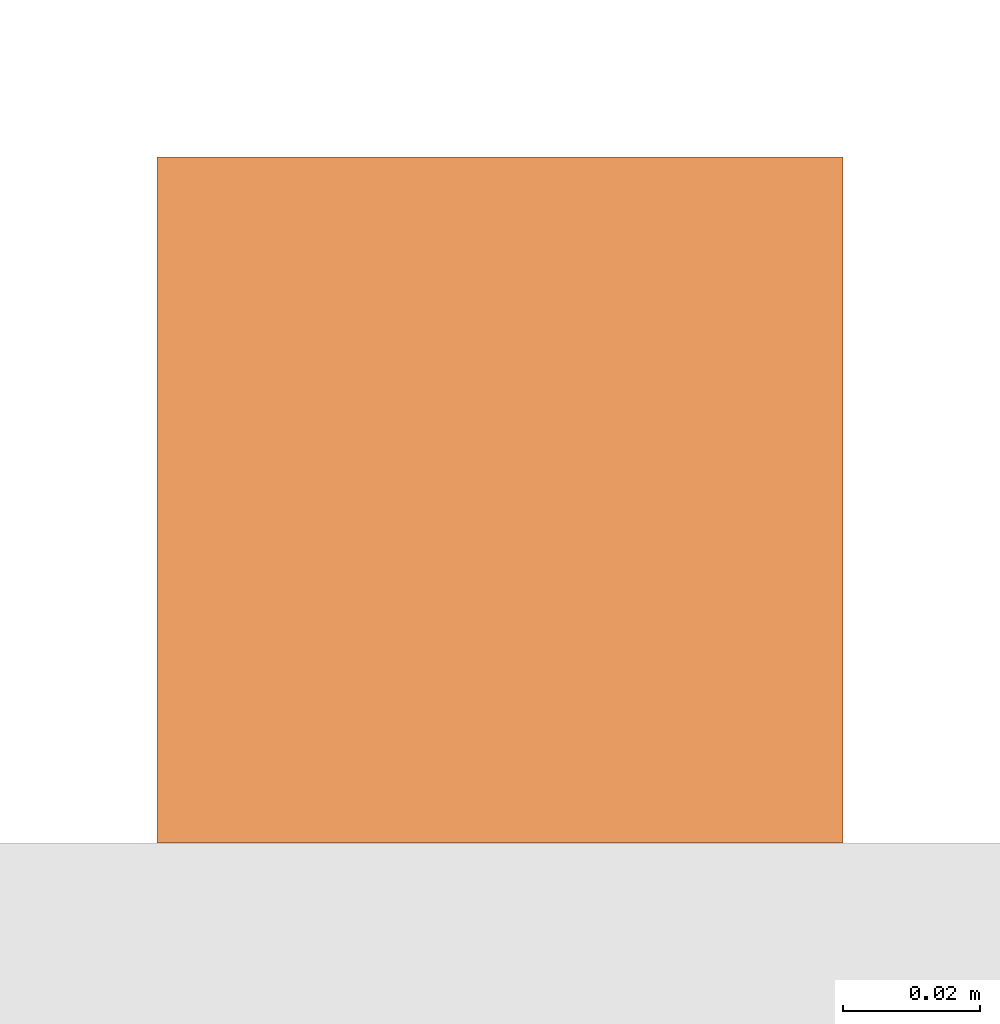
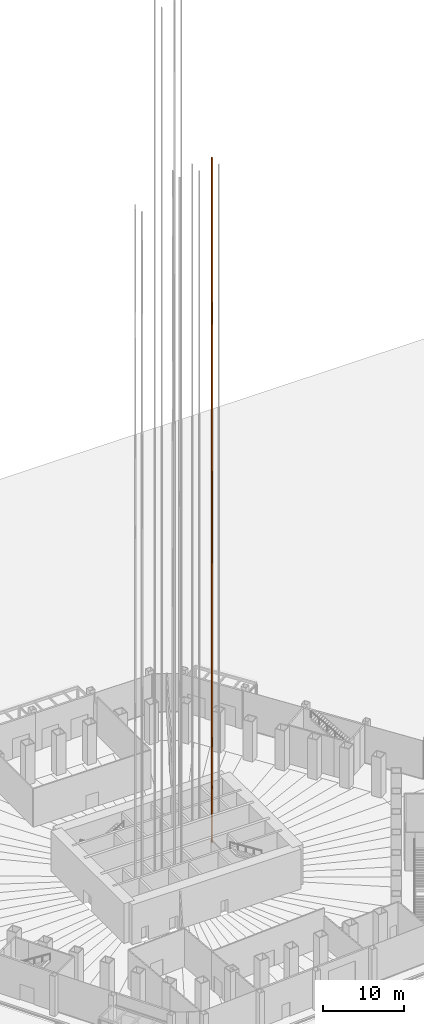
# One storey, part 45 of 45: 1 proxy.
"""IFC4 building model written with IfcOpenShell, lengths in metres."""

from ifc_helpers import new_model, si_unit, direction, frame, origin, origin_2d, place, context, subcontext, project, spatial, rectangle, extrude, material, type_object, element, save


model = new_model("IFC4")

# Units and contexts
model_context = context("Model", 3, precision=1e-05, world=origin(), true_north=direction((0.0, 1.0)))
body_context = subcontext(model_context, "Body", "Model", "MODEL_VIEW")
ifc_project = project(units=[si_unit("LENGTHUNIT", "METRE"), si_unit("AREAUNIT", "SQUARE_METRE"), si_unit("VOLUMEUNIT", "CUBIC_METRE"), si_unit("PLANEANGLEUNIT", "RADIAN"), si_unit("MASSUNIT", "GRAM", prefix="KILO")], contexts=[model_context])

# Site, building, storey
site_placement = place(None, origin())
site = spatial("IfcSite", under=ifc_project, at=site_placement, CompositionType="ELEMENT")
building_placement = place(site_placement, origin())
building = spatial("IfcBuilding", under=site, at=building_placement, Name="Qingtian Harvest Tower", CompositionType="ELEMENT")
storey_placement = place(building_placement, origin())
storey = spatial("IfcBuildingStorey", under=building, at=storey_placement, Name="L00", CompositionType="ELEMENT", Elevation=0.0)

# Proxy
ifc_material = material(Name="Steel SN490B", Category="steel")
building_element_proxy_type = type_object("IfcBuildingElementProxyType", Name="Lift guide rail LR1", PredefinedType="NOTDEFINED", material=ifc_material)
proxy_placement = place(storey_placement, frame((7.5, 4.375, 0.0), z_axis=(0.0, 0.0, 1.0), x_axis=(1.0, 0.0, 0.0)))
element("IfcBuildingElementProxy", 1, at=proxy_placement, inside=storey, type_object=building_element_proxy_type, Name="Lift PLA3 guide rail 2", PredefinedType="NOTDEFINED", context=body_context, shape_type="SweptSolid", body=[
    extrude(rectangle(XDim=0.10009765625, YDim=0.10009765625, at=origin_2d()), origin(), (0.0, 0.0, 1.0), 103.0),
])

save(model, "model.ifc")
